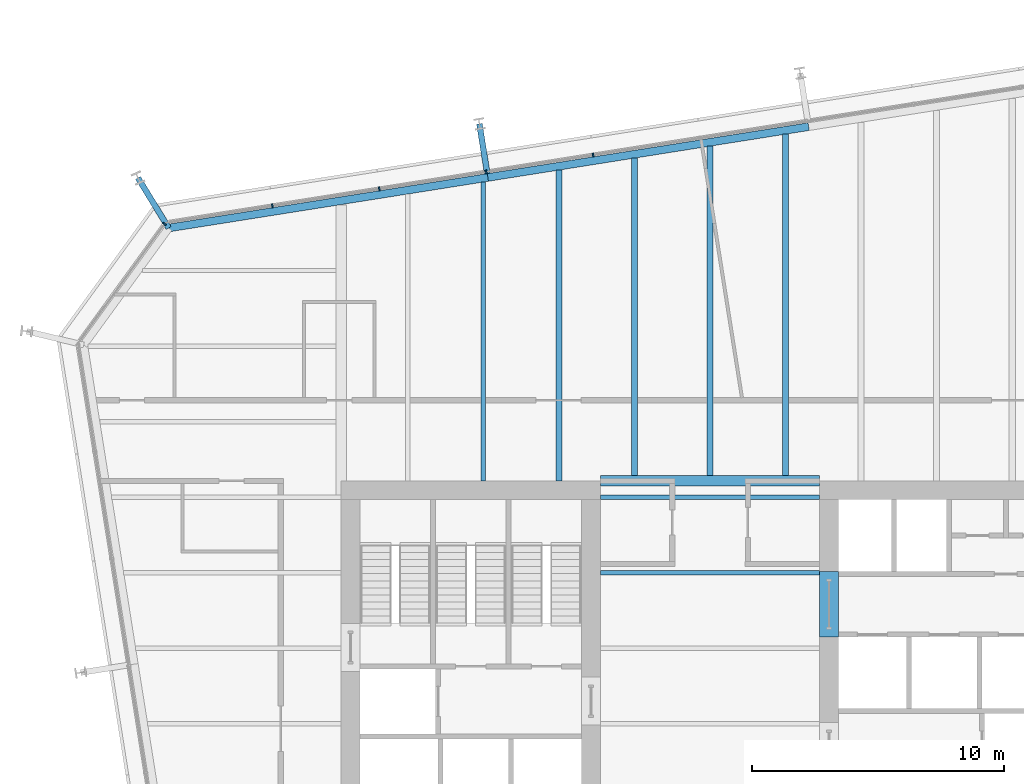
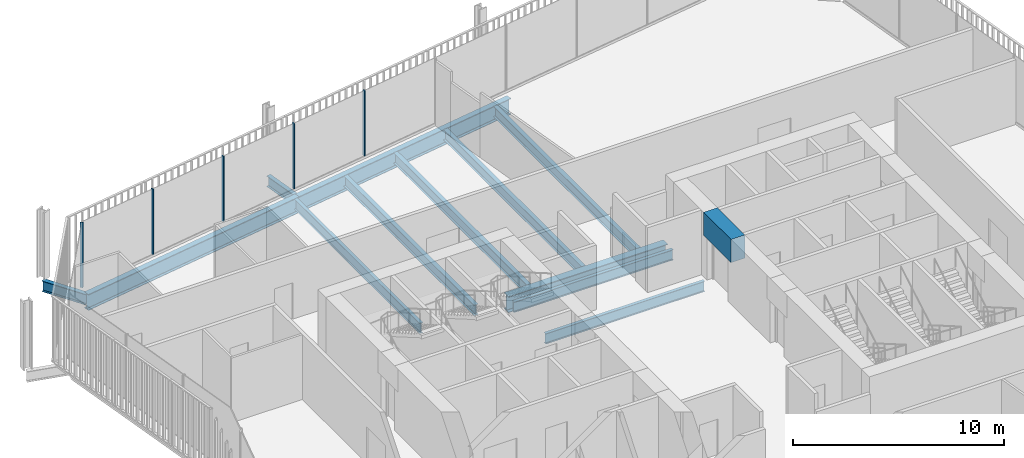
# One storey, part 11 of 21: 13 beams, 5 members, 2 elements without a shape of their own.
"""IFC4 building model written with IfcOpenShell, lengths in metres."""

import ifcopenshell
import ifcopenshell.guid

model = None  # the IFC model being written
_history = None  # IfcOwnerHistory: only IFC2X3 demands one
_inside = {}  # id of a spatial element -> (the spatial element, [elements in it])
_under = {}  # id of a project, library or spatial element -> (it, [spatial elements below it])
_declared = {}  # id of a project -> (the project, [libraries it declares])
_typed = {}  # id of a type object -> (the type object, [elements of that type])
_made_of = {}  # id of a material, layer set ... -> (it, [elements and type objects made of it])


def new_model(schema):
    """Start an empty IFC model of exactly this schema.

    Asked for "IFC4X3", IfcOpenShell would pick the latest addendum, in which some entities
    have other attributes; the version numbers below select the first issue.
    IFC2X3 requires an IfcOwnerHistory on every rooted entity: one is made here for all.
    """
    global model, _history
    if schema == "IFC4X3":
        model = ifcopenshell.file(schema_version=(4, 3, 0, 0))
    else:
        model = ifcopenshell.file(schema=schema)
    _inside.clear()
    _under.clear()
    _declared.clear()
    _typed.clear()
    _made_of.clear()
    _history = None
    if model.schema == "IFC2X3":
        org = make("IfcOrganization", Name="unknown")
        user = make(
            "IfcPersonAndOrganization",
            ThePerson=make("IfcPerson", FamilyName="unknown"),
            TheOrganization=org,
        )
        app = make(
            "IfcApplication",
            ApplicationDeveloper=org,
            Version="unknown",
            ApplicationFullName="unknown",
            ApplicationIdentifier="unknown",
        )
        _history = make(
            "IfcOwnerHistory",
            OwningUser=user,
            OwningApplication=app,
            ChangeAction="ADDED",
            CreationDate=0,
        )
    return model


def make(cls, **values):
    """One entity of the class cls with the attributes given. An attribute that is None is left unset."""
    return model.create_entity(
        cls, **{name: value for name, value in values.items() if value is not None}
    )


def rooted(cls, **values):
    """An entity with a GlobalId (a new one), such as an element, a storey or a relation."""
    return make(cls, GlobalId=ifcopenshell.guid.new(), OwnerHistory=_history, **values)


def si_unit(unit_type, name, prefix=None):
    """IfcSIUnit, for example si_unit("LENGTHUNIT", "METRE", prefix="MILLI")."""
    return make("IfcSIUnit", UnitType=unit_type, Prefix=prefix, Name=name)


def assignment(units):
    """IfcUnitAssignment: the units of a project."""
    return None if units is None else make("IfcUnitAssignment", Units=units)


def point(xyz):
    """IfcCartesianPoint."""
    return None if xyz is None else make("IfcCartesianPoint", Coordinates=xyz)


def direction(xyz):
    """IfcDirection."""
    return None if xyz is None else make("IfcDirection", DirectionRatios=xyz)


def frame(location, z_axis=None, x_axis=None):
    """IfcAxis2Placement3D, a coordinate frame: its origin and axes. An axis left out is left unset."""
    return make(
        "IfcAxis2Placement3D",
        Location=point(location),
        Axis=direction(z_axis),
        RefDirection=direction(x_axis),
    )


def frame_2d(location, x_axis=None):
    """IfcAxis2Placement2D, a coordinate frame in the plane: its origin and x axis."""
    return make(
        "IfcAxis2Placement2D", Location=point(location), RefDirection=direction(x_axis)
    )


def origin():
    """The frame at (0, 0, 0) with its axes left unset."""
    return frame((0.0, 0.0, 0.0))


def origin_2d():
    """The frame at (0, 0) in the plane with its x axis left unset."""
    return frame_2d((0.0, 0.0))


def place(relative_to, where):
    """IfcLocalPlacement: puts the frame where relative to a parent placement (None: the world)."""
    return make(
        "IfcLocalPlacement", PlacementRelTo=relative_to, RelativePlacement=where
    )


def context(
    kind, dimensions, precision=None, world=None, true_north=None, identifier=None
):
    """IfcGeometricRepresentationContext, for example the 3D "Model" context."""
    return make(
        "IfcGeometricRepresentationContext",
        ContextIdentifier=identifier,
        ContextType=kind,
        CoordinateSpaceDimension=dimensions,
        Precision=precision,
        WorldCoordinateSystem=world,
        TrueNorth=true_north,
    )


def subcontext(parent, identifier, kind, view, scale=None):
    """IfcGeometricRepresentationSubContext, for example "Body" below "Model"."""
    return make(
        "IfcGeometricRepresentationSubContext",
        ContextIdentifier=identifier,
        ContextType=kind,
        ParentContext=parent,
        TargetScale=scale,
        TargetView=view,
    )


def project(units=None, contexts=None):
    """IfcProject with its units and contexts."""
    return rooted(
        "IfcProject",
        Name="project",
        RepresentationContexts=contexts,
        UnitsInContext=assignment(units),
    )


def spatial(cls, under=None, at=None, **own):
    """A site, building, storey or space (cls), placed at a placement, below another one or the project."""
    s = rooted(cls, ObjectPlacement=at, **own)
    if under is not None:
        _under.setdefault(under.id(), (under, []))[1].append(s)
    return s


def profile(cls, at=None, kind="AREA", **sizes):
    """A parametric profile (cls). Its sizes go by their IFC names, for example OverallWidth=200.0."""
    return make(cls, ProfileType=kind, Position=at, **sizes)


def rectangle(**sizes):
    """IfcRectangleProfileDef."""
    return profile("IfcRectangleProfileDef", **sizes)


def i_section(**sizes):
    """IfcIShapeProfileDef."""
    return profile("IfcIShapeProfileDef", **sizes)


def extrude(swept, where, along, depth):
    """IfcExtrudedAreaSolid: the profile swept, set in the frame where, extruded along a direction by depth."""
    return make(
        "IfcExtrudedAreaSolid",
        SweptArea=swept,
        Position=where,
        ExtrudedDirection=direction(along),
        Depth=depth,
    )


def shape(context_of_items, identifier, shape_type, items):
    """IfcShapeRepresentation: the items that make up one representation, for example the "Body"."""
    return make(
        "IfcShapeRepresentation",
        ContextOfItems=context_of_items,
        RepresentationIdentifier=identifier,
        RepresentationType=shape_type,
        Items=items,
    )


def material(Name=None, Category=None):
    """IfcMaterial."""
    return make("IfcMaterial", Name=Name, Category=Category)


def layer(
    of_material, thickness, ventilated=None, Name=None, Category=None, Priority=None
):
    """IfcMaterialLayer: one layer of a wall or slab, of a material (None: an air gap)."""
    return make(
        "IfcMaterialLayer",
        Material=of_material,
        LayerThickness=thickness,
        IsVentilated=ventilated,
        Name=Name,
        Category=Category,
        Priority=Priority,
    )


def layer_set(layers, Name=None):
    """IfcMaterialLayerSet."""
    return make("IfcMaterialLayerSet", MaterialLayers=layers, LayerSetName=Name)


def material_profile(
    of_material, cross_section, Name=None, Category=None, Priority=None
):
    """IfcMaterialProfile: a cross section and its material."""
    return make(
        "IfcMaterialProfile",
        Name=Name,
        Material=of_material,
        Profile=cross_section,
        Priority=Priority,
        Category=Category,
    )


def profile_set(profiles, Name=None, composite=None):
    """IfcMaterialProfileSet."""
    return make(
        "IfcMaterialProfileSet",
        Name=Name,
        MaterialProfiles=profiles,
        CompositeProfile=composite,
    )


def made_of(thing, what):
    """Note that an element or type object is made of a material, layer set ...; save() writes the relation."""
    if what is not None:
        _made_of.setdefault(what.id(), (what, []))[1].append(thing)
    return thing


def type_object(cls, material=None, **own):
    """A type object (cls), such as IfcWallType, which elements share."""
    return made_of(rooted(cls, **own), material)


def element(
    cls,
    number,
    at=None,
    inside=None,
    cuts=None,
    type_object=None,
    material=None,
    context=None,
    identifier="Body",
    shape_type=None,
    held_by="IfcProductDefinitionShape",
    body=None,
    shapes=None,
    **own,
):
    """One element of the class cls, such as IfcWall. Its Tag is "e" and its number.

    at: its placement. inside: the storey or other place that contains it. cuts: it is an
    opening in that element (IfcRelVoidsElement). A single representation is given by context,
    identifier, shape_type and body (its items); several are given by shapes. held_by: the class
    of the entity that holds the representations. save() writes the other relations.
    """
    e = rooted(cls, Tag="e%d" % number, ObjectPlacement=at, **own)
    if body is not None:
        shapes = [shape(context, identifier, shape_type, body)]
    if shapes is not None:
        e.Representation = make(held_by, Representations=shapes)
    if inside is not None:
        _inside.setdefault(inside.id(), (inside, []))[1].append(e)
    if cuts is not None:
        rooted(
            "IfcRelVoidsElement", RelatingBuildingElement=cuts, RelatedOpeningElement=e
        )
    if type_object is not None:
        _typed.setdefault(type_object.id(), (type_object, []))[1].append(e)
    return made_of(e, material)


def aggregate(whole, parts):
    """IfcRelAggregates: a whole, such as a stair, and the parts it consists of."""
    return rooted("IfcRelAggregates", RelatingObject=whole, RelatedObjects=parts)


def save(model, path):
    """Write the relations noted so far, then the file.

    IfcRelAggregates (storeys below a building ...), IfcRelContainedInSpatialStructure (elements
    in a storey), IfcRelDefinesByType, IfcRelAssociatesMaterial and IfcRelDeclares: one each for
    every whole, place, type object, material and project.
    """
    for whole, parts in _under.values():
        aggregate(whole, parts)
    for where, things in _inside.values():
        rooted(
            "IfcRelContainedInSpatialStructure",
            RelatedElements=things,
            RelatingStructure=where,
        )
    for kind, things in _typed.values():
        rooted("IfcRelDefinesByType", RelatedObjects=things, RelatingType=kind)
    for what, things in _made_of.values():
        rooted("IfcRelAssociatesMaterial", RelatedObjects=things, RelatingMaterial=what)
    for by, libraries in _declared.values():
        rooted("IfcRelDeclares", RelatingContext=by, RelatedDefinitions=libraries)
    model.write(path)


model = new_model("IFC4")

# Units and contexts
model_context = context("Model", 3, precision=1e-05, world=origin(), true_north=direction((0.0, 1.0)))
body_context = subcontext(model_context, "Body", "Model", "MODEL_VIEW")
ifc_project = project(units=[si_unit("LENGTHUNIT", "METRE"), si_unit("AREAUNIT", "SQUARE_METRE"), si_unit("VOLUMEUNIT", "CUBIC_METRE"), si_unit("PLANEANGLEUNIT", "RADIAN"), si_unit("MASSUNIT", "GRAM", prefix="KILO")], contexts=[model_context])

# Site, building, storey
site_placement = place(None, origin())
site = spatial("IfcSite", under=ifc_project, at=site_placement, CompositionType="ELEMENT")
building_placement = place(site_placement, origin())
building = spatial("IfcBuilding", under=site, at=building_placement, Name="Millrace Tower", CompositionType="ELEMENT")
storey_placement = place(building_placement, frame((0.0, 0.0, 164.60009765625)))
storey = spatial("IfcBuildingStorey", under=building, at=storey_placement, Name="L37", CompositionType="ELEMENT", Elevation=164.60009765625)

# Curtain wall, members
ifc_material_1 = material(Name="Aluminium and glass", Category="aluminium")
ifc_layer = layer(ifc_material_1, 0.14990234375)
ifc_layer_set = layer_set([ifc_layer], Name="Aluminium and glass")
curtain_wall_type = type_object("IfcCurtainWallType", Name="CW-1 office vision curtain wall", PredefinedType="NOTDEFINED", material=ifc_layer_set)
placement = place(storey_placement, origin())
curtain_wall_1 = element("IfcCurtainWall", 1, at=placement, inside=storey, type_object=curtain_wall_type, Name="Curtain wall C-F06 L37", PredefinedType="NOTDEFINED")
ifc_material_2 = material(Name="Aluminium", Category="aluminium")
ifc_material_profile_1 = material_profile(ifc_material_2, rectangle(XDim=0.06494140625, YDim=0.14990234375, at=origin_2d()))
ifc_profile_set_1 = profile_set([ifc_material_profile_1], Name="Aluminium")
member_type = type_object("IfcMemberType", Name="CW-1 office vision curtain wall mullion", PredefinedType="MULLION", material=ifc_profile_set_1)
member_1_placement = place(storey_placement, frame((-4.6435546875, 22.59326171875, 0.139892578125), z_axis=(0.0, 0.0, 1.0), x_axis=(-0.98768833929, -0.15643447328, 0.0)))
member_1 = element("IfcMember", 2, at=member_1_placement, type_object=member_type, Name="CW1 mullion C-F06.6", PredefinedType="MULLION", context=body_context, shape_type="SweptSolid", body=[
    extrude(rectangle(XDim=0.06494140625, YDim=0.14990234375, at=origin_2d()), origin(), (0.0, 0.0, 1.0), 3.760009765625),
])
member_2_placement = place(storey_placement, frame((-8.890625, 21.920654296875, 0.139892578125), z_axis=(0.0, 0.0, 1.0), x_axis=(-0.98768833929, -0.15643447328, 0.0)))
member_2 = element("IfcMember", 3, at=member_2_placement, type_object=member_type, Name="CW1 mullion C-F06.7", PredefinedType="MULLION", context=body_context, shape_type="SweptSolid", body=[
    extrude(rectangle(XDim=0.06494140625, YDim=0.14990234375, at=origin_2d()), origin(), (0.0, 0.0, 1.0), 3.760009765625),
])
member_3_placement = place(storey_placement, frame((-13.1376953125, 21.248046875, 0.139892578125), z_axis=(0.0, 0.0, 1.0), x_axis=(-0.98768833929, -0.15643447328, 0.0)))
member_3 = element("IfcMember", 4, at=member_3_placement, type_object=member_type, Name="CW1 mullion C-F06.8", PredefinedType="MULLION", context=body_context, shape_type="SweptSolid", body=[
    extrude(rectangle(XDim=0.06494140625, YDim=0.14990234375, at=origin_2d()), origin(), (0.0, 0.0, 1.0), 3.760009765625),
])
member_4_placement = place(storey_placement, frame((-17.384765625, 20.575439453125, 0.139892578125), z_axis=(0.0, 0.0, 1.0), x_axis=(-0.98768833929, -0.15643447328, 0.0)))
member_4 = element("IfcMember", 5, at=member_4_placement, type_object=member_type, Name="CW1 mullion C-F06.9", PredefinedType="MULLION", context=body_context, shape_type="SweptSolid", body=[
    extrude(rectangle(XDim=0.06494140625, YDim=0.14990234375, at=origin_2d()), origin(), (0.0, 0.0, 1.0), 3.760009765625),
])
aggregate(curtain_wall_1, [member_1, member_2, member_3, member_4])

# Curtain wall, member
curtain_wall_2 = element("IfcCurtainWall", 6, at=placement, inside=storey, type_object=curtain_wall_type, Name="Curtain wall C-F07 L37", PredefinedType="NOTDEFINED")
member_5_placement = place(storey_placement, frame((-21.667724609375, 19.8515625, 0.139892578125), z_axis=(0.0, 0.0, 1.0), x_axis=(-0.587785269844, -0.809016981623, 0.0)))
member_5 = element("IfcMember", 7, at=member_5_placement, type_object=member_type, Name="CW1 mullion C-F07.1", PredefinedType="MULLION", context=body_context, shape_type="SweptSolid", body=[
    extrude(rectangle(XDim=0.06494140625, YDim=0.14990234375, at=origin_2d()), origin(), (0.0, 0.0, 1.0), 3.760009765625),
])
aggregate(curtain_wall_2, [member_5])

# Beams
ifc_material_3 = material(Name="Concrete C70", Category="concrete")
ifc_material_profile_2 = material_profile(ifc_material_3, rectangle(XDim=0.75, YDim=1.340087890625, at=origin_2d()))
ifc_profile_set_2 = profile_set([ifc_material_profile_2], Name="Concrete C70")
beam_type_1 = type_object("IfcBeamType", Name="Coupling beam 750 x 1340 Concrete C70, 2000 opening", PredefinedType="BEAM", material=ifc_profile_set_2)
beam_1_placement = place(storey_placement, frame((4.72509765625, 6.050048828125, 3.06982421875), z_axis=(0.0, -1.0, 0.0), x_axis=(1.0, 0.0, 0.0)))
element("IfcBeam", 8, at=beam_1_placement, inside=storey, type_object=beam_type_1, Name="Coupling beam E L37", PredefinedType="BEAM", context=body_context, shape_type="SweptSolid", body=[
    extrude(rectangle(XDim=0.75, YDim=1.340087890625, at=origin_2d()), origin(), (0.0, 0.0, 1.0), 2.60009765625),
])
ifc_material_4 = material(Name="Steel ASTM A992 Grade 50", Category="steel")
ifc_material_profile_3 = material_profile(ifc_material_4, i_section(OverallWidth=0.177978515625, OverallDepth=0.599365234375, WebThickness=0.010009765625, FlangeThickness=0.012939453125, FilletRadius=0.012939453125, at=origin_2d()))
ifc_profile_set_3 = profile_set([ifc_material_profile_3], Name="Steel ASTM A992 Grade 50")
beam_type_2 = type_object("IfcBeamType", Name="Floor beam W24x55", PredefinedType="JOIST", material=ifc_profile_set_3)
for number, where, z_axis, x_axis, name in (
    (9, (-4.35009765625, 6.0, -0.459716796875), (1.0, 0.0, 0.0), (0.0, 1.0, 0.0), "BM-C-L37-S1-S025"),
    (10, (-4.35009765625, 9.0, -0.459716796875), (1.0, 0.0, 0.0), (0.0, 1.0, 0.0), "BM-C-L37-S1-S028"),
):
    element("IfcBeam", number, at=place(storey_placement, frame(where, z_axis=z_axis, x_axis=x_axis)), inside=storey, type_object=beam_type_2, Name=name, PredefinedType="JOIST", context=body_context, shape_type="SweptSolid", body=[
        extrude(i_section(OverallWidth=0.177978515625, OverallDepth=0.599365234375, WebThickness=0.010009765625, FlangeThickness=0.012939453125, FilletRadius=0.012939453125, at=origin_2d()), origin(), (0.0, 0.0, 1.0), 8.7001953125),
    ])
ifc_material_5 = material(Name="Steel ASTM A992 Grade 50", Category="steel")
ifc_material_profile_4 = material_profile(ifc_material_5, i_section(OverallWidth=0.1787109375, OverallDepth=0.60205078125, WebThickness=0.010986328125, FlangeThickness=0.014892578125, FilletRadius=0.0126953125, at=origin_2d()))
ifc_profile_set_4 = profile_set([ifc_material_profile_4], Name="Steel ASTM A992 Grade 50")
beam_type_3 = type_object("IfcBeamType", Name="Floor beam W24x62", PredefinedType="JOIST", material=ifc_profile_set_4)
beam_2_placement = place(storey_placement, frame((-9.0, 9.64990234375, -0.461181640625), z_axis=(0.0, 1.0, 0.0), x_axis=(-1.0, 0.0, 0.0)))
element("IfcBeam", 11, at=beam_2_placement, inside=storey, type_object=beam_type_3, Name="BM-C-L37-S1-S041", PredefinedType="JOIST", context=body_context, shape_type="SweptSolid", body=[
    extrude(i_section(OverallWidth=0.1787109375, OverallDepth=0.60205078125, WebThickness=0.010986328125, FlangeThickness=0.014892578125, FilletRadius=0.0126953125, at=origin_2d()), origin(), (0.0, 0.0, 1.0), 11.866455078125),
])
ifc_material_6 = material(Name="Steel ASTM A992 Grade 50", Category="steel")
ifc_material_profile_5 = material_profile(ifc_material_6, i_section(OverallWidth=0.228271484375, OverallDepth=0.607177734375, WebThickness=0.01123046875, FlangeThickness=0.017333984375, FilletRadius=0.0126953125, at=origin_2d()))
ifc_profile_set_5 = profile_set([ifc_material_profile_5], Name="Steel ASTM A992 Grade 50")
beam_type_4 = type_object("IfcBeamType", Name="Floor beam W24x76", PredefinedType="JOIST", material=ifc_profile_set_5)
beam_3_placement = place(storey_placement, frame((-6.0, 9.64990234375, -0.463623046875), z_axis=(0.0, 1.0, 0.0), x_axis=(-1.0, 0.0, 0.0)))
element("IfcBeam", 12, at=beam_3_placement, inside=storey, type_object=beam_type_4, Name="BM-C-L37-S1-S043", PredefinedType="JOIST", context=body_context, shape_type="SweptSolid", body=[
    extrude(i_section(OverallWidth=0.228271484375, OverallDepth=0.607177734375, WebThickness=0.01123046875, FlangeThickness=0.017333984375, FilletRadius=0.0126953125, at=origin_2d()), origin(), (0.0, 0.0, 1.0), 12.341552734375),
])
beam_4_placement = place(storey_placement, frame((-3.0, 9.859619140625, -0.463623046875), z_axis=(0.0, 1.0, 0.0), x_axis=(-1.0, 0.0, 0.0)))
element("IfcBeam", 13, at=beam_4_placement, inside=storey, type_object=beam_type_4, Name="BM-C-L37-S1-S045", PredefinedType="JOIST", context=body_context, shape_type="SweptSolid", body=[
    extrude(i_section(OverallWidth=0.228271484375, OverallDepth=0.607177734375, WebThickness=0.01123046875, FlangeThickness=0.017333984375, FilletRadius=0.0126953125, at=origin_2d()), origin(), (0.0, 0.0, 1.0), 12.60693359375),
])
beam_5_placement = place(storey_placement, frame((0.0, 9.859619140625, -0.463623046875), z_axis=(0.0, 1.0, 0.0), x_axis=(-1.0, 0.0, 0.0)))
element("IfcBeam", 14, at=beam_5_placement, inside=storey, type_object=beam_type_4, Name="BM-C-L37-S1-S047", PredefinedType="JOIST", context=body_context, shape_type="SweptSolid", body=[
    extrude(i_section(OverallWidth=0.228271484375, OverallDepth=0.607177734375, WebThickness=0.01123046875, FlangeThickness=0.017333984375, FilletRadius=0.0126953125, at=origin_2d()), origin(), (0.0, 0.0, 1.0), 13.08203125),
])
beam_6_placement = place(storey_placement, frame((3.0, 9.859619140625, -0.463623046875), z_axis=(0.0, 1.0, 0.0), x_axis=(-1.0, 0.0, 0.0)))
element("IfcBeam", 15, at=beam_6_placement, inside=storey, type_object=beam_type_4, Name="BM-C-L37-S1-S049", PredefinedType="JOIST", context=body_context, shape_type="SweptSolid", body=[
    extrude(i_section(OverallWidth=0.228271484375, OverallDepth=0.607177734375, WebThickness=0.01123046875, FlangeThickness=0.017333984375, FilletRadius=0.0126953125, at=origin_2d()), origin(), (0.0, 0.0, 1.0), 13.55712890625),
])
ifc_material_7 = material(Name="Steel ASTM A992 Grade 50", Category="steel")
ifc_material_profile_6 = material_profile(ifc_material_7, i_section(OverallWidth=0.419189453125, OverallDepth=0.927001953125, WebThickness=0.019287109375, FlangeThickness=0.031982421875, FilletRadius=0.024169921875, at=origin_2d()))
ifc_profile_set_6 = profile_set([ifc_material_profile_6], Name="Steel ASTM A992 Grade 50")
beam_type_5 = type_object("IfcBeamType", Name="Girder short span W36x231", PredefinedType="BEAM", material=ifc_profile_set_6)
beam_7_placement = place(storey_placement, frame((-4.35009765625, 9.64990234375, -0.62353515625), z_axis=(1.0, 0.0, 0.0), x_axis=(0.0, 1.0, 0.0)))
element("IfcBeam", 16, at=beam_7_placement, inside=storey, type_object=beam_type_5, Name="BM-C-L37-S1-G061", PredefinedType="BEAM", context=body_context, shape_type="SweptSolid", body=[
    extrude(i_section(OverallWidth=0.419189453125, OverallDepth=0.927001953125, WebThickness=0.019287109375, FlangeThickness=0.031982421875, FilletRadius=0.024169921875, at=origin_2d()), origin(), (0.0, 0.0, 1.0), 8.7001953125),
])
ifc_material_8 = material(Name="Steel ASTM A992 Grade 50", Category="steel")
ifc_material_profile_7 = material_profile(ifc_material_8, i_section(OverallWidth=0.23046875, OverallDepth=0.6171875, WebThickness=0.01318359375, FlangeThickness=0.022216796875, FilletRadius=0.012939453125, at=origin_2d()))
ifc_profile_set_7 = profile_set([ifc_material_profile_7], Name="Steel ASTM A992 Grade 50")
beam_type_6 = type_object("IfcBeamType", Name="Link beam W24x94", PredefinedType="BEAM", material=ifc_profile_set_7)
beam_8_placement = place(storey_placement, frame((-21.5009765625, 19.69189453125, -0.46875), z_axis=(-0.522512938711, 0.852631355792, 0.0), x_axis=(-0.852631355792, -0.522512938711, 0.0)))
element("IfcBeam", 17, at=beam_8_placement, inside=storey, type_object=beam_type_6, Name="LNK-C-L37-S1-05", PredefinedType="BEAM", context=body_context, shape_type="SweptSolid", body=[
    extrude(i_section(OverallWidth=0.23046875, OverallDepth=0.6171875, WebThickness=0.01318359375, FlangeThickness=0.022216796875, FilletRadius=0.012939453125, at=origin_2d()), origin(), (0.0, 0.0, 1.0), 2.3310546875),
])
beam_9_placement = place(storey_placement, frame((-8.8466796875, 21.8515625, -0.46875), z_axis=(-0.156476509441, 0.987681680499, 0.0), x_axis=(-0.987681680499, -0.156476509441, 0.0)))
element("IfcBeam", 18, at=beam_9_placement, inside=storey, type_object=beam_type_6, Name="LNK-C-L37-S1-06", PredefinedType="BEAM", context=body_context, shape_type="SweptSolid", body=[
    extrude(i_section(OverallWidth=0.23046875, OverallDepth=0.6171875, WebThickness=0.01318359375, FlangeThickness=0.022216796875, FilletRadius=0.012939453125, at=origin_2d()), origin(), (0.0, 0.0, 1.0), 2.000244140625),
])
ifc_material_9 = material(Name="Steel ASTM A992 Grade 50", Category="steel")
ifc_material_profile_8 = material_profile(ifc_material_9, i_section(OverallWidth=0.307373046875, OverallDepth=0.927001953125, WebThickness=0.01953125, FlangeThickness=0.031982421875, FilletRadius=0.01904296875, at=origin_2d()))
ifc_profile_set_8 = profile_set([ifc_material_profile_8], Name="Steel ASTM A992 Grade 50")
beam_type_7 = type_object("IfcBeamType", Name="Ring beam medium span W36x194", PredefinedType="SPANDREL", material=ifc_profile_set_8)
beam_10_placement = place(storey_placement, frame((-21.5009765625, 19.69189453125, -0.62353515625), z_axis=(0.987688058438, 0.156436246498, 0.0), x_axis=(-0.156436246498, 0.987688058438, 0.0)))
element("IfcBeam", 19, at=beam_10_placement, inside=storey, type_object=beam_type_7, Name="RNG-C-L37-S1-05", PredefinedType="SPANDREL", context=body_context, shape_type="SweptSolid", body=[
    extrude(i_section(OverallWidth=0.307373046875, OverallDepth=0.927001953125, WebThickness=0.01953125, FlangeThickness=0.031982421875, FilletRadius=0.01904296875, at=origin_2d()), origin(), (0.0, 0.0, 1.0), 12.836181640625),
])
beam_11_placement = place(storey_placement, frame((-8.82275390625, 21.699951171875, -0.62353515625), z_axis=(0.987687659758, 0.156438763615, 0.0), x_axis=(-0.156438763615, 0.987687659758, 0.0)))
element("IfcBeam", 20, at=beam_11_placement, inside=storey, type_object=beam_type_7, Name="RNG-C-L37-S1-06", PredefinedType="SPANDREL", context=body_context, shape_type="SweptSolid", body=[
    extrude(i_section(OverallWidth=0.307373046875, OverallDepth=0.927001953125, WebThickness=0.01953125, FlangeThickness=0.031982421875, FilletRadius=0.01904296875, at=origin_2d()), origin(), (0.0, 0.0, 1.0), 12.900146484375),
])

save(model, "model.ifc")
